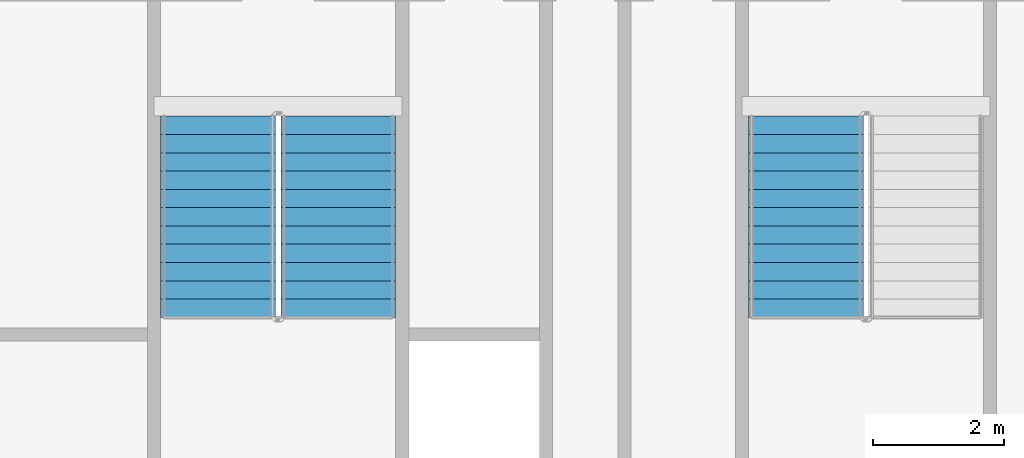
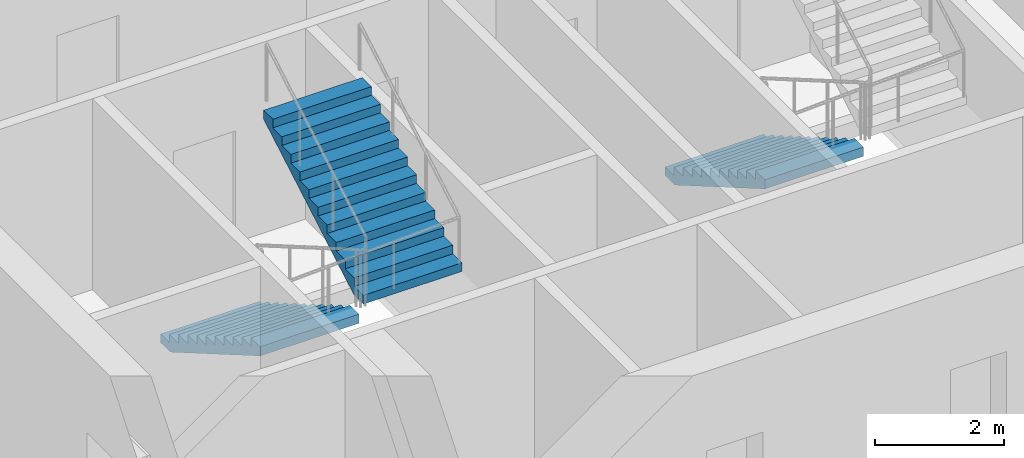
# One storey, part 8 of 11: 3 stair flights, 2 elements without a shape of their own.
"""IFC4 building model written with IfcOpenShell, lengths in metres."""

import ifcopenshell
import ifcopenshell.guid

model = None  # the IFC model being written
_history = None  # IfcOwnerHistory: only IFC2X3 demands one
_inside = {}  # id of a spatial element -> (the spatial element, [elements in it])
_under = {}  # id of a project, library or spatial element -> (it, [spatial elements below it])
_declared = {}  # id of a project -> (the project, [libraries it declares])
_typed = {}  # id of a type object -> (the type object, [elements of that type])
_made_of = {}  # id of a material, layer set ... -> (it, [elements and type objects made of it])


def new_model(schema):
    """Start an empty IFC model of exactly this schema.

    Asked for "IFC4X3", IfcOpenShell would pick the latest addendum, in which some entities
    have other attributes; the version numbers below select the first issue.
    IFC2X3 requires an IfcOwnerHistory on every rooted entity: one is made here for all.
    """
    global model, _history
    if schema == "IFC4X3":
        model = ifcopenshell.file(schema_version=(4, 3, 0, 0))
    else:
        model = ifcopenshell.file(schema=schema)
    _inside.clear()
    _under.clear()
    _declared.clear()
    _typed.clear()
    _made_of.clear()
    _history = None
    if model.schema == "IFC2X3":
        org = make("IfcOrganization", Name="unknown")
        user = make(
            "IfcPersonAndOrganization",
            ThePerson=make("IfcPerson", FamilyName="unknown"),
            TheOrganization=org,
        )
        app = make(
            "IfcApplication",
            ApplicationDeveloper=org,
            Version="unknown",
            ApplicationFullName="unknown",
            ApplicationIdentifier="unknown",
        )
        _history = make(
            "IfcOwnerHistory",
            OwningUser=user,
            OwningApplication=app,
            ChangeAction="ADDED",
            CreationDate=0,
        )
    return model


def make(cls, **values):
    """One entity of the class cls with the attributes given. An attribute that is None is left unset."""
    return model.create_entity(
        cls, **{name: value for name, value in values.items() if value is not None}
    )


def rooted(cls, **values):
    """An entity with a GlobalId (a new one), such as an element, a storey or a relation."""
    return make(cls, GlobalId=ifcopenshell.guid.new(), OwnerHistory=_history, **values)


def si_unit(unit_type, name, prefix=None):
    """IfcSIUnit, for example si_unit("LENGTHUNIT", "METRE", prefix="MILLI")."""
    return make("IfcSIUnit", UnitType=unit_type, Prefix=prefix, Name=name)


def assignment(units):
    """IfcUnitAssignment: the units of a project."""
    return None if units is None else make("IfcUnitAssignment", Units=units)


def point(xyz):
    """IfcCartesianPoint."""
    return None if xyz is None else make("IfcCartesianPoint", Coordinates=xyz)


def direction(xyz):
    """IfcDirection."""
    return None if xyz is None else make("IfcDirection", DirectionRatios=xyz)


def frame(location, z_axis=None, x_axis=None):
    """IfcAxis2Placement3D, a coordinate frame: its origin and axes. An axis left out is left unset."""
    return make(
        "IfcAxis2Placement3D",
        Location=point(location),
        Axis=direction(z_axis),
        RefDirection=direction(x_axis),
    )


def origin():
    """The frame at (0, 0, 0) with its axes left unset."""
    return frame((0.0, 0.0, 0.0))


def place(relative_to, where):
    """IfcLocalPlacement: puts the frame where relative to a parent placement (None: the world)."""
    return make(
        "IfcLocalPlacement", PlacementRelTo=relative_to, RelativePlacement=where
    )


def context(
    kind, dimensions, precision=None, world=None, true_north=None, identifier=None
):
    """IfcGeometricRepresentationContext, for example the 3D "Model" context."""
    return make(
        "IfcGeometricRepresentationContext",
        ContextIdentifier=identifier,
        ContextType=kind,
        CoordinateSpaceDimension=dimensions,
        Precision=precision,
        WorldCoordinateSystem=world,
        TrueNorth=true_north,
    )


def subcontext(parent, identifier, kind, view, scale=None):
    """IfcGeometricRepresentationSubContext, for example "Body" below "Model"."""
    return make(
        "IfcGeometricRepresentationSubContext",
        ContextIdentifier=identifier,
        ContextType=kind,
        ParentContext=parent,
        TargetScale=scale,
        TargetView=view,
    )


def project(units=None, contexts=None):
    """IfcProject with its units and contexts."""
    return rooted(
        "IfcProject",
        Name="project",
        RepresentationContexts=contexts,
        UnitsInContext=assignment(units),
    )


def spatial(cls, under=None, at=None, **own):
    """A site, building, storey or space (cls), placed at a placement, below another one or the project."""
    s = rooted(cls, ObjectPlacement=at, **own)
    if under is not None:
        _under.setdefault(under.id(), (under, []))[1].append(s)
    return s


def faces_of(points, faces, orient=None, outer=None):
    """IfcFace entities. A face is a list of loops; a loop is a list of indices into points, from 0.

    orient and outer hold one flag for each loop. By default every Orientation is true, the
    first loop of a face is its IfcFaceOuterBound and the others are IfcFaceBound.
    """
    made = []
    for i, loops in enumerate(faces):
        bounds = []
        for j, loop in enumerate(loops):
            is_outer = j == 0 if outer is None else outer[i][j]
            bounds.append(
                make(
                    "IfcFaceOuterBound" if is_outer else "IfcFaceBound",
                    Bound=make("IfcPolyLoop", Polygon=[points[k] for k in loop]),
                    Orientation=True if orient is None else orient[i][j],
                )
            )
        made.append(make("IfcFace", Bounds=bounds))
    return made


def faceted_brep(points, faces, orient=None, outer=None, voids=None):
    """IfcFacetedBrep: a solid bounded by flat faces; with voids (closed shells), ...WithVoids."""
    shared = [point(p) for p in points]
    hull = make("IfcClosedShell", CfsFaces=faces_of(shared, faces, orient, outer))
    if voids is None:
        return make("IfcFacetedBrep", Outer=hull)
    return make(
        "IfcFacetedBrepWithVoids",
        Outer=hull,
        Voids=[
            make(cls, CfsFaces=faces_of(shared, fs, o, b)) for cls, fs, o, b in voids
        ],
    )


def shape(context_of_items, identifier, shape_type, items):
    """IfcShapeRepresentation: the items that make up one representation, for example the "Body"."""
    return make(
        "IfcShapeRepresentation",
        ContextOfItems=context_of_items,
        RepresentationIdentifier=identifier,
        RepresentationType=shape_type,
        Items=items,
    )


def material(Name=None, Category=None):
    """IfcMaterial."""
    return make("IfcMaterial", Name=Name, Category=Category)


def made_of(thing, what):
    """Note that an element or type object is made of a material, layer set ...; save() writes the relation."""
    if what is not None:
        _made_of.setdefault(what.id(), (what, []))[1].append(thing)
    return thing


def type_object(cls, material=None, **own):
    """A type object (cls), such as IfcWallType, which elements share."""
    return made_of(rooted(cls, **own), material)


def element(
    cls,
    number,
    at=None,
    inside=None,
    cuts=None,
    type_object=None,
    material=None,
    context=None,
    identifier="Body",
    shape_type=None,
    held_by="IfcProductDefinitionShape",
    body=None,
    shapes=None,
    **own,
):
    """One element of the class cls, such as IfcWall. Its Tag is "e" and its number.

    at: its placement. inside: the storey or other place that contains it. cuts: it is an
    opening in that element (IfcRelVoidsElement). A single representation is given by context,
    identifier, shape_type and body (its items); several are given by shapes. held_by: the class
    of the entity that holds the representations. save() writes the other relations.
    """
    e = rooted(cls, Tag="e%d" % number, ObjectPlacement=at, **own)
    if body is not None:
        shapes = [shape(context, identifier, shape_type, body)]
    if shapes is not None:
        e.Representation = make(held_by, Representations=shapes)
    if inside is not None:
        _inside.setdefault(inside.id(), (inside, []))[1].append(e)
    if cuts is not None:
        rooted(
            "IfcRelVoidsElement", RelatingBuildingElement=cuts, RelatedOpeningElement=e
        )
    if type_object is not None:
        _typed.setdefault(type_object.id(), (type_object, []))[1].append(e)
    return made_of(e, material)


def aggregate(whole, parts):
    """IfcRelAggregates: a whole, such as a stair, and the parts it consists of."""
    return rooted("IfcRelAggregates", RelatingObject=whole, RelatedObjects=parts)


def save(model, path):
    """Write the relations noted so far, then the file.

    IfcRelAggregates (storeys below a building ...), IfcRelContainedInSpatialStructure (elements
    in a storey), IfcRelDefinesByType, IfcRelAssociatesMaterial and IfcRelDeclares: one each for
    every whole, place, type object, material and project.
    """
    for whole, parts in _under.values():
        aggregate(whole, parts)
    for where, things in _inside.values():
        rooted(
            "IfcRelContainedInSpatialStructure",
            RelatedElements=things,
            RelatingStructure=where,
        )
    for kind, things in _typed.values():
        rooted("IfcRelDefinesByType", RelatedObjects=things, RelatingType=kind)
    for what, things in _made_of.values():
        rooted("IfcRelAssociatesMaterial", RelatedObjects=things, RelatingMaterial=what)
    for by, libraries in _declared.values():
        rooted("IfcRelDeclares", RelatingContext=by, RelatedDefinitions=libraries)
    model.write(path)


model = new_model("IFC4")

# Units and contexts
model_context = context("Model", 3, precision=1e-05, world=origin(), true_north=direction((0.0, 1.0)))
body_context = subcontext(model_context, "Body", "Model", "MODEL_VIEW")
ifc_project = project(units=[si_unit("LENGTHUNIT", "METRE"), si_unit("AREAUNIT", "SQUARE_METRE"), si_unit("VOLUMEUNIT", "CUBIC_METRE"), si_unit("PLANEANGLEUNIT", "RADIAN"), si_unit("MASSUNIT", "GRAM", prefix="KILO")], contexts=[model_context])

# Site, building, storey
site_placement = place(None, origin())
site = spatial("IfcSite", under=ifc_project, at=site_placement, CompositionType="ELEMENT")
building_placement = place(site_placement, origin())
building = spatial("IfcBuilding", under=site, at=building_placement, Name="Tarsis Ring Headquarters", CompositionType="ELEMENT")
storey_placement = place(building_placement, frame((0.0, 0.0, 298.10009765625)))
storey = spatial("IfcBuildingStorey", under=building, at=storey_placement, Name="L70", CompositionType="ELEMENT", Elevation=298.10009765625)

# Stair, stair flights
ifc_material_1 = material(Name="Core stair 1760")
stair_type = type_object("IfcStairType", Name="Core stair 1760", PredefinedType="HALF_TURN_STAIR", material=ifc_material_1)
stair_1_placement = place(storey_placement, origin())
stair_1 = element("IfcStair", 1, at=stair_1_placement, inside=storey, type_object=stair_type, Name="L70 Exit stair C", PredefinedType="HALF_TURN_STAIR")
ifc_material_2 = material(Name="Concrete C40/50", Category="concrete")
stair_flight_type = type_object("IfcStairFlightType", Name="Core stair flight 1760", PredefinedType="STRAIGHT", material=ifc_material_2)
stair_flight_1_placement = place(storey_placement, frame((-5.419921875, -3.659912109375, 0.0), z_axis=(0.0, 0.0, 1.0), x_axis=(0.0, -1.0, 0.0)))
stair_flight_1 = element("IfcStairFlight", 2, at=stair_flight_1_placement, type_object=stair_flight_type, Name="Stair ST3 flight 1", NumberOfRisers=12, NumberOfTreads=11, PredefinedType="STRAIGHT", RiserHeight=0.1625, TreadLength=0.28, context=body_context, shape_type="Brep", body=[
    faceted_brep([(0.0, 0.8798828125, 0.0), (0.0, 0.8798828125, 0.16259765625), (0.280029296875, 0.8798828125, 0.16259765625), (0.280029296875, 0.8798828125, 0.324951171875), (0.56005859375, 0.8798828125, 0.324951171875), (0.56005859375, 0.8798828125, 0.487548828125), (0.840087890625, 0.8798828125, 0.487548828125), (0.840087890625, 0.8798828125, 0.64990234375), (1.1201171875, 0.8798828125, 0.64990234375), (1.1201171875, 0.8798828125, 0.8125), (1.39990234375, 0.8798828125, 0.8125), (1.39990234375, 0.8798828125, 0.97509765625), (1.679931640625, 0.8798828125, 0.97509765625), (1.679931640625, 0.8798828125, 1.137451171875), (1.9599609375, 0.8798828125, 1.137451171875), (1.9599609375, 0.8798828125, 1.300048828125), (2.239990234375, 0.8798828125, 1.300048828125), (2.239990234375, 0.8798828125, 1.46240234375), (2.52001953125, 0.8798828125, 1.46240234375), (2.52001953125, 0.8798828125, 1.625), (2.800048828125, 0.8798828125, 1.625), (2.800048828125, 0.8798828125, 1.78759765625), (3.080078125, 0.8798828125, 1.78759765625), (3.080078125, 0.8798828125, 1.6142578125), (0.298583984375, 0.8798828125, 0.0), (0.298583984375, -0.8798828125, 0.0), (3.080078125, -0.8798828125, 1.6142578125), (3.080078125, -0.8798828125, 1.78759765625), (2.800048828125, -0.8798828125, 1.78759765625), (2.800048828125, -0.8798828125, 1.625), (2.52001953125, -0.8798828125, 1.625), (2.52001953125, -0.8798828125, 1.46240234375), (2.239990234375, -0.8798828125, 1.46240234375), (2.239990234375, -0.8798828125, 1.300048828125), (1.9599609375, -0.8798828125, 1.300048828125), (1.9599609375, -0.8798828125, 1.137451171875), (1.679931640625, -0.8798828125, 1.137451171875), (1.679931640625, -0.8798828125, 0.97509765625), (1.39990234375, -0.8798828125, 0.97509765625), (1.39990234375, -0.8798828125, 0.8125), (1.1201171875, -0.8798828125, 0.8125), (1.1201171875, -0.8798828125, 0.64990234375), (0.840087890625, -0.8798828125, 0.64990234375), (0.840087890625, -0.8798828125, 0.487548828125), (0.56005859375, -0.8798828125, 0.487548828125), (0.56005859375, -0.8798828125, 0.324951171875), (0.280029296875, -0.8798828125, 0.324951171875), (0.280029296875, -0.8798828125, 0.16259765625), (0.0, -0.8798828125, 0.16259765625), (0.0, -0.8798828125, 0.0), (0.0, -0.43994140625, 0.16259765625), (0.0, -0.43994140625, 0.0), (0.0, 0.0, 0.16259765625), (0.0, 0.0, 0.0), (0.0, 0.43994140625, 0.16259765625), (0.0, 0.43994140625, 0.0), (0.280029296875, -0.43994140625, 0.16259765625), (0.280029296875, 0.0, 0.16259765625), (0.280029296875, 0.43994140625, 0.16259765625), (0.280029296875, -0.43994140625, 0.324951171875), (0.280029296875, 0.0, 0.324951171875), (0.280029296875, 0.43994140625, 0.324951171875), (0.56005859375, -0.43994140625, 0.324951171875), (0.56005859375, 0.0, 0.324951171875), (0.56005859375, 0.43994140625, 0.324951171875), (0.56005859375, -0.43994140625, 0.487548828125), (0.56005859375, 0.0, 0.487548828125), (0.56005859375, 0.43994140625, 0.487548828125), (0.840087890625, -0.43994140625, 0.487548828125), (0.840087890625, 0.0, 0.487548828125), (0.840087890625, 0.43994140625, 0.487548828125), (0.840087890625, -0.43994140625, 0.64990234375), (0.840087890625, 0.0, 0.64990234375), (0.840087890625, 0.43994140625, 0.64990234375), (1.1201171875, -0.43994140625, 0.64990234375), (1.1201171875, 0.0, 0.64990234375), (1.1201171875, 0.43994140625, 0.64990234375), (1.1201171875, -0.43994140625, 0.8125), (1.1201171875, 0.0, 0.8125), (1.1201171875, 0.43994140625, 0.8125), (1.39990234375, -0.43994140625, 0.8125), (1.39990234375, 0.0, 0.8125), (1.39990234375, 0.43994140625, 0.8125), (1.39990234375, -0.43994140625, 0.97509765625), (1.39990234375, 0.0, 0.97509765625), (1.39990234375, 0.43994140625, 0.97509765625), (1.679931640625, -0.43994140625, 0.97509765625), (1.679931640625, 0.0, 0.97509765625), (1.679931640625, 0.43994140625, 0.97509765625), (1.679931640625, -0.43994140625, 1.137451171875), (1.679931640625, 0.0, 1.137451171875), (1.679931640625, 0.43994140625, 1.137451171875), (1.9599609375, -0.43994140625, 1.137451171875), (1.9599609375, 0.0, 1.137451171875), (1.9599609375, 0.43994140625, 1.137451171875), (1.9599609375, -0.43994140625, 1.300048828125), (1.9599609375, 0.0, 1.300048828125), (1.9599609375, 0.43994140625, 1.300048828125), (2.239990234375, -0.43994140625, 1.300048828125), (2.239990234375, 0.0, 1.300048828125), (2.239990234375, 0.43994140625, 1.300048828125), (2.239990234375, -0.43994140625, 1.46240234375), (2.239990234375, 0.0, 1.46240234375), (2.239990234375, 0.43994140625, 1.46240234375), (2.52001953125, -0.43994140625, 1.46240234375), (2.52001953125, 0.0, 1.46240234375), (2.52001953125, 0.43994140625, 1.46240234375), (2.52001953125, -0.43994140625, 1.625), (2.52001953125, 0.0, 1.625), (2.52001953125, 0.43994140625, 1.625), (2.800048828125, -0.43994140625, 1.625), (2.800048828125, 0.0, 1.625), (2.800048828125, 0.43994140625, 1.625), (2.800048828125, -0.43994140625, 1.78759765625), (2.800048828125, 0.0, 1.78759765625), (2.800048828125, 0.43994140625, 1.78759765625), (3.080078125, -0.43994140625, 1.78759765625), (3.080078125, 0.0, 1.78759765625), (3.080078125, 0.43994140625, 1.78759765625), (3.080078125, -0.43994140625, 1.6142578125), (3.080078125, 0.0, 1.6142578125), (3.080078125, 0.43994140625, 1.6142578125), (0.298583984375, -0.43994140625, 0.0), (0.298583984375, 0.0, 0.0), (0.298583984375, 0.43994140625, 0.0)], [[[0, 1, 2, 3, 4, 5, 6, 7, 8, 9, 10, 11, 12, 13, 14, 15, 16, 17, 18, 19, 20, 21, 22, 23, 24]], [[25, 26, 27, 28, 29, 30, 31, 32, 33, 34, 35, 36, 37, 38, 39, 40, 41, 42, 43, 44, 45, 46, 47, 48, 49]], [[49, 48, 50, 51]], [[51, 50, 52, 53]], [[53, 52, 54, 55]], [[55, 54, 1, 0]], [[48, 47, 56, 50]], [[50, 56, 57, 52]], [[52, 57, 58, 54]], [[54, 58, 2, 1]], [[47, 46, 59, 56]], [[56, 59, 60, 57]], [[57, 60, 61, 58]], [[58, 61, 3, 2]], [[46, 45, 62, 59]], [[59, 62, 63, 60]], [[60, 63, 64, 61]], [[61, 64, 4, 3]], [[45, 44, 65, 62]], [[62, 65, 66, 63]], [[63, 66, 67, 64]], [[64, 67, 5, 4]], [[44, 43, 68, 65]], [[65, 68, 69, 66]], [[66, 69, 70, 67]], [[67, 70, 6, 5]], [[43, 42, 71, 68]], [[68, 71, 72, 69]], [[69, 72, 73, 70]], [[70, 73, 7, 6]], [[42, 41, 74, 71]], [[71, 74, 75, 72]], [[72, 75, 76, 73]], [[73, 76, 8, 7]], [[41, 40, 77, 74]], [[74, 77, 78, 75]], [[75, 78, 79, 76]], [[76, 79, 9, 8]], [[40, 39, 80, 77]], [[77, 80, 81, 78]], [[78, 81, 82, 79]], [[79, 82, 10, 9]], [[39, 38, 83, 80]], [[80, 83, 84, 81]], [[81, 84, 85, 82]], [[82, 85, 11, 10]], [[38, 37, 86, 83]], [[83, 86, 87, 84]], [[84, 87, 88, 85]], [[85, 88, 12, 11]], [[37, 36, 89, 86]], [[86, 89, 90, 87]], [[87, 90, 91, 88]], [[88, 91, 13, 12]], [[36, 35, 92, 89]], [[89, 92, 93, 90]], [[90, 93, 94, 91]], [[91, 94, 14, 13]], [[35, 34, 95, 92]], [[92, 95, 96, 93]], [[93, 96, 97, 94]], [[94, 97, 15, 14]], [[34, 33, 98, 95]], [[95, 98, 99, 96]], [[96, 99, 100, 97]], [[97, 100, 16, 15]], [[33, 32, 101, 98]], [[98, 101, 102, 99]], [[99, 102, 103, 100]], [[100, 103, 17, 16]], [[32, 31, 104, 101]], [[101, 104, 105, 102]], [[102, 105, 106, 103]], [[103, 106, 18, 17]], [[31, 30, 107, 104]], [[104, 107, 108, 105]], [[105, 108, 109, 106]], [[106, 109, 19, 18]], [[30, 29, 110, 107]], [[107, 110, 111, 108]], [[108, 111, 112, 109]], [[109, 112, 20, 19]], [[29, 28, 113, 110]], [[110, 113, 114, 111]], [[111, 114, 115, 112]], [[112, 115, 21, 20]], [[28, 27, 116, 113]], [[113, 116, 117, 114]], [[114, 117, 118, 115]], [[115, 118, 22, 21]], [[27, 26, 119, 116]], [[116, 119, 120, 117]], [[117, 120, 121, 118]], [[118, 121, 23, 22]], [[26, 25, 122, 119]], [[119, 122, 123, 120]], [[120, 123, 124, 121]], [[121, 124, 24, 23]], [[25, 49, 51, 122]], [[122, 51, 53, 123]], [[123, 53, 55, 124]], [[124, 55, 0, 24]]]),
])
stair_flight_2_placement = place(storey_placement, frame((-3.580078125, -6.739990234375, 1.949951171875), z_axis=(0.0, 0.0, 1.0), x_axis=(0.0, 1.0, 0.0)))
stair_flight_2 = element("IfcStairFlight", 3, at=stair_flight_2_placement, type_object=stair_flight_type, Name="Stair ST3 flight 2", NumberOfRisers=12, NumberOfTreads=11, PredefinedType="STRAIGHT", RiserHeight=0.1625, TreadLength=0.28, context=body_context, shape_type="Brep", body=[
    faceted_brep([(0.0, 0.8798828125, 0.0), (0.0, 0.8798828125, 0.16259765625), (0.280029296875, 0.8798828125, 0.16259765625), (0.280029296875, 0.8798828125, 0.324951171875), (0.56005859375, 0.8798828125, 0.324951171875), (0.56005859375, 0.8798828125, 0.487548828125), (0.840087890625, 0.8798828125, 0.487548828125), (0.840087890625, 0.8798828125, 0.64990234375), (1.1201171875, 0.8798828125, 0.64990234375), (1.1201171875, 0.8798828125, 0.8125), (1.39990234375, 0.8798828125, 0.8125), (1.39990234375, 0.8798828125, 0.97509765625), (1.679931640625, 0.8798828125, 0.97509765625), (1.679931640625, 0.8798828125, 1.137451171875), (1.9599609375, 0.8798828125, 1.137451171875), (1.9599609375, 0.8798828125, 1.300048828125), (2.239990234375, 0.8798828125, 1.300048828125), (2.239990234375, 0.8798828125, 1.46240234375), (2.52001953125, 0.8798828125, 1.46240234375), (2.52001953125, 0.8798828125, 1.625), (2.800048828125, 0.8798828125, 1.625), (2.800048828125, 0.8798828125, 1.78759765625), (3.080078125, 0.8798828125, 1.78759765625), (3.080078125, 0.8798828125, 1.6142578125), (0.298583984375, 0.8798828125, 0.0), (0.298583984375, -0.8798828125, 0.0), (3.080078125, -0.8798828125, 1.6142578125), (3.080078125, -0.8798828125, 1.78759765625), (2.800048828125, -0.8798828125, 1.78759765625), (2.800048828125, -0.8798828125, 1.625), (2.52001953125, -0.8798828125, 1.625), (2.52001953125, -0.8798828125, 1.46240234375), (2.239990234375, -0.8798828125, 1.46240234375), (2.239990234375, -0.8798828125, 1.300048828125), (1.9599609375, -0.8798828125, 1.300048828125), (1.9599609375, -0.8798828125, 1.137451171875), (1.679931640625, -0.8798828125, 1.137451171875), (1.679931640625, -0.8798828125, 0.97509765625), (1.39990234375, -0.8798828125, 0.97509765625), (1.39990234375, -0.8798828125, 0.8125), (1.1201171875, -0.8798828125, 0.8125), (1.1201171875, -0.8798828125, 0.64990234375), (0.840087890625, -0.8798828125, 0.64990234375), (0.840087890625, -0.8798828125, 0.487548828125), (0.56005859375, -0.8798828125, 0.487548828125), (0.56005859375, -0.8798828125, 0.324951171875), (0.280029296875, -0.8798828125, 0.324951171875), (0.280029296875, -0.8798828125, 0.16259765625), (0.0, -0.8798828125, 0.16259765625), (0.0, -0.8798828125, 0.0), (0.0, -0.43994140625, 0.16259765625), (0.0, -0.43994140625, 0.0), (0.0, 0.0, 0.16259765625), (0.0, 0.0, 0.0), (0.0, 0.43994140625, 0.16259765625), (0.0, 0.43994140625, 0.0), (0.280029296875, -0.43994140625, 0.16259765625), (0.280029296875, 0.0, 0.16259765625), (0.280029296875, 0.43994140625, 0.16259765625), (0.280029296875, -0.43994140625, 0.324951171875), (0.280029296875, 0.0, 0.324951171875), (0.280029296875, 0.43994140625, 0.324951171875), (0.56005859375, -0.43994140625, 0.324951171875), (0.56005859375, 0.0, 0.324951171875), (0.56005859375, 0.43994140625, 0.324951171875), (0.56005859375, -0.43994140625, 0.487548828125), (0.56005859375, 0.0, 0.487548828125), (0.56005859375, 0.43994140625, 0.487548828125), (0.840087890625, -0.43994140625, 0.487548828125), (0.840087890625, 0.0, 0.487548828125), (0.840087890625, 0.43994140625, 0.487548828125), (0.840087890625, -0.43994140625, 0.64990234375), (0.840087890625, 0.0, 0.64990234375), (0.840087890625, 0.43994140625, 0.64990234375), (1.1201171875, -0.43994140625, 0.64990234375), (1.1201171875, 0.0, 0.64990234375), (1.1201171875, 0.43994140625, 0.64990234375), (1.1201171875, -0.43994140625, 0.8125), (1.1201171875, 0.0, 0.8125), (1.1201171875, 0.43994140625, 0.8125), (1.39990234375, -0.43994140625, 0.8125), (1.39990234375, 0.0, 0.8125), (1.39990234375, 0.43994140625, 0.8125), (1.39990234375, -0.43994140625, 0.97509765625), (1.39990234375, 0.0, 0.97509765625), (1.39990234375, 0.43994140625, 0.97509765625), (1.679931640625, -0.43994140625, 0.97509765625), (1.679931640625, 0.0, 0.97509765625), (1.679931640625, 0.43994140625, 0.97509765625), (1.679931640625, -0.43994140625, 1.137451171875), (1.679931640625, 0.0, 1.137451171875), (1.679931640625, 0.43994140625, 1.137451171875), (1.9599609375, -0.43994140625, 1.137451171875), (1.9599609375, 0.0, 1.137451171875), (1.9599609375, 0.43994140625, 1.137451171875), (1.9599609375, -0.43994140625, 1.300048828125), (1.9599609375, 0.0, 1.300048828125), (1.9599609375, 0.43994140625, 1.300048828125), (2.239990234375, -0.43994140625, 1.300048828125), (2.239990234375, 0.0, 1.300048828125), (2.239990234375, 0.43994140625, 1.300048828125), (2.239990234375, -0.43994140625, 1.46240234375), (2.239990234375, 0.0, 1.46240234375), (2.239990234375, 0.43994140625, 1.46240234375), (2.52001953125, -0.43994140625, 1.46240234375), (2.52001953125, 0.0, 1.46240234375), (2.52001953125, 0.43994140625, 1.46240234375), (2.52001953125, -0.43994140625, 1.625), (2.52001953125, 0.0, 1.625), (2.52001953125, 0.43994140625, 1.625), (2.800048828125, -0.43994140625, 1.625), (2.800048828125, 0.0, 1.625), (2.800048828125, 0.43994140625, 1.625), (2.800048828125, -0.43994140625, 1.78759765625), (2.800048828125, 0.0, 1.78759765625), (2.800048828125, 0.43994140625, 1.78759765625), (3.080078125, -0.43994140625, 1.78759765625), (3.080078125, 0.0, 1.78759765625), (3.080078125, 0.43994140625, 1.78759765625), (3.080078125, -0.43994140625, 1.6142578125), (3.080078125, 0.0, 1.6142578125), (3.080078125, 0.43994140625, 1.6142578125), (0.298583984375, -0.43994140625, 0.0), (0.298583984375, 0.0, 0.0), (0.298583984375, 0.43994140625, 0.0)], [[[0, 1, 2, 3, 4, 5, 6, 7, 8, 9, 10, 11, 12, 13, 14, 15, 16, 17, 18, 19, 20, 21, 22, 23, 24]], [[25, 26, 27, 28, 29, 30, 31, 32, 33, 34, 35, 36, 37, 38, 39, 40, 41, 42, 43, 44, 45, 46, 47, 48, 49]], [[49, 48, 50, 51]], [[51, 50, 52, 53]], [[53, 52, 54, 55]], [[55, 54, 1, 0]], [[48, 47, 56, 50]], [[50, 56, 57, 52]], [[52, 57, 58, 54]], [[54, 58, 2, 1]], [[47, 46, 59, 56]], [[56, 59, 60, 57]], [[57, 60, 61, 58]], [[58, 61, 3, 2]], [[46, 45, 62, 59]], [[59, 62, 63, 60]], [[60, 63, 64, 61]], [[61, 64, 4, 3]], [[45, 44, 65, 62]], [[62, 65, 66, 63]], [[63, 66, 67, 64]], [[64, 67, 5, 4]], [[44, 43, 68, 65]], [[65, 68, 69, 66]], [[66, 69, 70, 67]], [[67, 70, 6, 5]], [[43, 42, 71, 68]], [[68, 71, 72, 69]], [[69, 72, 73, 70]], [[70, 73, 7, 6]], [[42, 41, 74, 71]], [[71, 74, 75, 72]], [[72, 75, 76, 73]], [[73, 76, 8, 7]], [[41, 40, 77, 74]], [[74, 77, 78, 75]], [[75, 78, 79, 76]], [[76, 79, 9, 8]], [[40, 39, 80, 77]], [[77, 80, 81, 78]], [[78, 81, 82, 79]], [[79, 82, 10, 9]], [[39, 38, 83, 80]], [[80, 83, 84, 81]], [[81, 84, 85, 82]], [[82, 85, 11, 10]], [[38, 37, 86, 83]], [[83, 86, 87, 84]], [[84, 87, 88, 85]], [[85, 88, 12, 11]], [[37, 36, 89, 86]], [[86, 89, 90, 87]], [[87, 90, 91, 88]], [[88, 91, 13, 12]], [[36, 35, 92, 89]], [[89, 92, 93, 90]], [[90, 93, 94, 91]], [[91, 94, 14, 13]], [[35, 34, 95, 92]], [[92, 95, 96, 93]], [[93, 96, 97, 94]], [[94, 97, 15, 14]], [[34, 33, 98, 95]], [[95, 98, 99, 96]], [[96, 99, 100, 97]], [[97, 100, 16, 15]], [[33, 32, 101, 98]], [[98, 101, 102, 99]], [[99, 102, 103, 100]], [[100, 103, 17, 16]], [[32, 31, 104, 101]], [[101, 104, 105, 102]], [[102, 105, 106, 103]], [[103, 106, 18, 17]], [[31, 30, 107, 104]], [[104, 107, 108, 105]], [[105, 108, 109, 106]], [[106, 109, 19, 18]], [[30, 29, 110, 107]], [[107, 110, 111, 108]], [[108, 111, 112, 109]], [[109, 112, 20, 19]], [[29, 28, 113, 110]], [[110, 113, 114, 111]], [[111, 114, 115, 112]], [[112, 115, 21, 20]], [[28, 27, 116, 113]], [[113, 116, 117, 114]], [[114, 117, 118, 115]], [[115, 118, 22, 21]], [[27, 26, 119, 116]], [[116, 119, 120, 117]], [[117, 120, 121, 118]], [[118, 121, 23, 22]], [[26, 25, 122, 119]], [[119, 122, 123, 120]], [[120, 123, 124, 121]], [[121, 124, 24, 23]], [[25, 49, 51, 122]], [[122, 51, 53, 123]], [[123, 53, 55, 124]], [[124, 55, 0, 24]]]),
])
aggregate(stair_1, [stair_flight_1, stair_flight_2])

# Stair, stair flight
stair_2_placement = place(storey_placement, origin())
stair_2 = element("IfcStair", 4, at=stair_2_placement, inside=storey, type_object=stair_type, Name="L70 Exit stair D", PredefinedType="HALF_TURN_STAIR")
stair_flight_3_placement = place(storey_placement, frame((3.580078125, -3.659912109375, 0.0), z_axis=(0.0, 0.0, 1.0), x_axis=(0.0, -1.0, 0.0)))
stair_flight_3 = element("IfcStairFlight", 5, at=stair_flight_3_placement, type_object=stair_flight_type, Name="Stair ST4 flight 1", NumberOfRisers=12, NumberOfTreads=11, PredefinedType="STRAIGHT", RiserHeight=0.1625, TreadLength=0.28, context=body_context, shape_type="Brep", body=[
    faceted_brep([(0.0, 0.8798828125, 0.0), (0.0, 0.8798828125, 0.16259765625), (0.280029296875, 0.8798828125, 0.16259765625), (0.280029296875, 0.8798828125, 0.324951171875), (0.56005859375, 0.8798828125, 0.324951171875), (0.56005859375, 0.8798828125, 0.487548828125), (0.840087890625, 0.8798828125, 0.487548828125), (0.840087890625, 0.8798828125, 0.64990234375), (1.1201171875, 0.8798828125, 0.64990234375), (1.1201171875, 0.8798828125, 0.8125), (1.39990234375, 0.8798828125, 0.8125), (1.39990234375, 0.8798828125, 0.97509765625), (1.679931640625, 0.8798828125, 0.97509765625), (1.679931640625, 0.8798828125, 1.137451171875), (1.9599609375, 0.8798828125, 1.137451171875), (1.9599609375, 0.8798828125, 1.300048828125), (2.239990234375, 0.8798828125, 1.300048828125), (2.239990234375, 0.8798828125, 1.46240234375), (2.52001953125, 0.8798828125, 1.46240234375), (2.52001953125, 0.8798828125, 1.625), (2.800048828125, 0.8798828125, 1.625), (2.800048828125, 0.8798828125, 1.78759765625), (3.080078125, 0.8798828125, 1.78759765625), (3.080078125, 0.8798828125, 1.6142578125), (0.298583984375, 0.8798828125, 0.0), (0.298583984375, -0.8798828125, 0.0), (3.080078125, -0.8798828125, 1.6142578125), (3.080078125, -0.8798828125, 1.78759765625), (2.800048828125, -0.8798828125, 1.78759765625), (2.800048828125, -0.8798828125, 1.625), (2.52001953125, -0.8798828125, 1.625), (2.52001953125, -0.8798828125, 1.46240234375), (2.239990234375, -0.8798828125, 1.46240234375), (2.239990234375, -0.8798828125, 1.300048828125), (1.9599609375, -0.8798828125, 1.300048828125), (1.9599609375, -0.8798828125, 1.137451171875), (1.679931640625, -0.8798828125, 1.137451171875), (1.679931640625, -0.8798828125, 0.97509765625), (1.39990234375, -0.8798828125, 0.97509765625), (1.39990234375, -0.8798828125, 0.8125), (1.1201171875, -0.8798828125, 0.8125), (1.1201171875, -0.8798828125, 0.64990234375), (0.840087890625, -0.8798828125, 0.64990234375), (0.840087890625, -0.8798828125, 0.487548828125), (0.56005859375, -0.8798828125, 0.487548828125), (0.56005859375, -0.8798828125, 0.324951171875), (0.280029296875, -0.8798828125, 0.324951171875), (0.280029296875, -0.8798828125, 0.16259765625), (0.0, -0.8798828125, 0.16259765625), (0.0, -0.8798828125, 0.0), (0.0, -0.43994140625, 0.16259765625), (0.0, -0.43994140625, 0.0), (0.0, 0.0, 0.16259765625), (0.0, 0.0, 0.0), (0.0, 0.43994140625, 0.16259765625), (0.0, 0.43994140625, 0.0), (0.280029296875, -0.43994140625, 0.16259765625), (0.280029296875, 0.0, 0.16259765625), (0.280029296875, 0.43994140625, 0.16259765625), (0.280029296875, -0.43994140625, 0.324951171875), (0.280029296875, 0.0, 0.324951171875), (0.280029296875, 0.43994140625, 0.324951171875), (0.56005859375, -0.43994140625, 0.324951171875), (0.56005859375, 0.0, 0.324951171875), (0.56005859375, 0.43994140625, 0.324951171875), (0.56005859375, -0.43994140625, 0.487548828125), (0.56005859375, 0.0, 0.487548828125), (0.56005859375, 0.43994140625, 0.487548828125), (0.840087890625, -0.43994140625, 0.487548828125), (0.840087890625, 0.0, 0.487548828125), (0.840087890625, 0.43994140625, 0.487548828125), (0.840087890625, -0.43994140625, 0.64990234375), (0.840087890625, 0.0, 0.64990234375), (0.840087890625, 0.43994140625, 0.64990234375), (1.1201171875, -0.43994140625, 0.64990234375), (1.1201171875, 0.0, 0.64990234375), (1.1201171875, 0.43994140625, 0.64990234375), (1.1201171875, -0.43994140625, 0.8125), (1.1201171875, 0.0, 0.8125), (1.1201171875, 0.43994140625, 0.8125), (1.39990234375, -0.43994140625, 0.8125), (1.39990234375, 0.0, 0.8125), (1.39990234375, 0.43994140625, 0.8125), (1.39990234375, -0.43994140625, 0.97509765625), (1.39990234375, 0.0, 0.97509765625), (1.39990234375, 0.43994140625, 0.97509765625), (1.679931640625, -0.43994140625, 0.97509765625), (1.679931640625, 0.0, 0.97509765625), (1.679931640625, 0.43994140625, 0.97509765625), (1.679931640625, -0.43994140625, 1.137451171875), (1.679931640625, 0.0, 1.137451171875), (1.679931640625, 0.43994140625, 1.137451171875), (1.9599609375, -0.43994140625, 1.137451171875), (1.9599609375, 0.0, 1.137451171875), (1.9599609375, 0.43994140625, 1.137451171875), (1.9599609375, -0.43994140625, 1.300048828125), (1.9599609375, 0.0, 1.300048828125), (1.9599609375, 0.43994140625, 1.300048828125), (2.239990234375, -0.43994140625, 1.300048828125), (2.239990234375, 0.0, 1.300048828125), (2.239990234375, 0.43994140625, 1.300048828125), (2.239990234375, -0.43994140625, 1.46240234375), (2.239990234375, 0.0, 1.46240234375), (2.239990234375, 0.43994140625, 1.46240234375), (2.52001953125, -0.43994140625, 1.46240234375), (2.52001953125, 0.0, 1.46240234375), (2.52001953125, 0.43994140625, 1.46240234375), (2.52001953125, -0.43994140625, 1.625), (2.52001953125, 0.0, 1.625), (2.52001953125, 0.43994140625, 1.625), (2.800048828125, -0.43994140625, 1.625), (2.800048828125, 0.0, 1.625), (2.800048828125, 0.43994140625, 1.625), (2.800048828125, -0.43994140625, 1.78759765625), (2.800048828125, 0.0, 1.78759765625), (2.800048828125, 0.43994140625, 1.78759765625), (3.080078125, -0.43994140625, 1.78759765625), (3.080078125, 0.0, 1.78759765625), (3.080078125, 0.43994140625, 1.78759765625), (3.080078125, -0.43994140625, 1.6142578125), (3.080078125, 0.0, 1.6142578125), (3.080078125, 0.43994140625, 1.6142578125), (0.298583984375, -0.43994140625, 0.0), (0.298583984375, 0.0, 0.0), (0.298583984375, 0.43994140625, 0.0)], [[[0, 1, 2, 3, 4, 5, 6, 7, 8, 9, 10, 11, 12, 13, 14, 15, 16, 17, 18, 19, 20, 21, 22, 23, 24]], [[25, 26, 27, 28, 29, 30, 31, 32, 33, 34, 35, 36, 37, 38, 39, 40, 41, 42, 43, 44, 45, 46, 47, 48, 49]], [[49, 48, 50, 51]], [[51, 50, 52, 53]], [[53, 52, 54, 55]], [[55, 54, 1, 0]], [[48, 47, 56, 50]], [[50, 56, 57, 52]], [[52, 57, 58, 54]], [[54, 58, 2, 1]], [[47, 46, 59, 56]], [[56, 59, 60, 57]], [[57, 60, 61, 58]], [[58, 61, 3, 2]], [[46, 45, 62, 59]], [[59, 62, 63, 60]], [[60, 63, 64, 61]], [[61, 64, 4, 3]], [[45, 44, 65, 62]], [[62, 65, 66, 63]], [[63, 66, 67, 64]], [[64, 67, 5, 4]], [[44, 43, 68, 65]], [[65, 68, 69, 66]], [[66, 69, 70, 67]], [[67, 70, 6, 5]], [[43, 42, 71, 68]], [[68, 71, 72, 69]], [[69, 72, 73, 70]], [[70, 73, 7, 6]], [[42, 41, 74, 71]], [[71, 74, 75, 72]], [[72, 75, 76, 73]], [[73, 76, 8, 7]], [[41, 40, 77, 74]], [[74, 77, 78, 75]], [[75, 78, 79, 76]], [[76, 79, 9, 8]], [[40, 39, 80, 77]], [[77, 80, 81, 78]], [[78, 81, 82, 79]], [[79, 82, 10, 9]], [[39, 38, 83, 80]], [[80, 83, 84, 81]], [[81, 84, 85, 82]], [[82, 85, 11, 10]], [[38, 37, 86, 83]], [[83, 86, 87, 84]], [[84, 87, 88, 85]], [[85, 88, 12, 11]], [[37, 36, 89, 86]], [[86, 89, 90, 87]], [[87, 90, 91, 88]], [[88, 91, 13, 12]], [[36, 35, 92, 89]], [[89, 92, 93, 90]], [[90, 93, 94, 91]], [[91, 94, 14, 13]], [[35, 34, 95, 92]], [[92, 95, 96, 93]], [[93, 96, 97, 94]], [[94, 97, 15, 14]], [[34, 33, 98, 95]], [[95, 98, 99, 96]], [[96, 99, 100, 97]], [[97, 100, 16, 15]], [[33, 32, 101, 98]], [[98, 101, 102, 99]], [[99, 102, 103, 100]], [[100, 103, 17, 16]], [[32, 31, 104, 101]], [[101, 104, 105, 102]], [[102, 105, 106, 103]], [[103, 106, 18, 17]], [[31, 30, 107, 104]], [[104, 107, 108, 105]], [[105, 108, 109, 106]], [[106, 109, 19, 18]], [[30, 29, 110, 107]], [[107, 110, 111, 108]], [[108, 111, 112, 109]], [[109, 112, 20, 19]], [[29, 28, 113, 110]], [[110, 113, 114, 111]], [[111, 114, 115, 112]], [[112, 115, 21, 20]], [[28, 27, 116, 113]], [[113, 116, 117, 114]], [[114, 117, 118, 115]], [[115, 118, 22, 21]], [[27, 26, 119, 116]], [[116, 119, 120, 117]], [[117, 120, 121, 118]], [[118, 121, 23, 22]], [[26, 25, 122, 119]], [[119, 122, 123, 120]], [[120, 123, 124, 121]], [[121, 124, 24, 23]], [[25, 49, 51, 122]], [[122, 51, 53, 123]], [[123, 53, 55, 124]], [[124, 55, 0, 24]]]),
])
aggregate(stair_2, [stair_flight_3])

save(model, "model.ifc")
